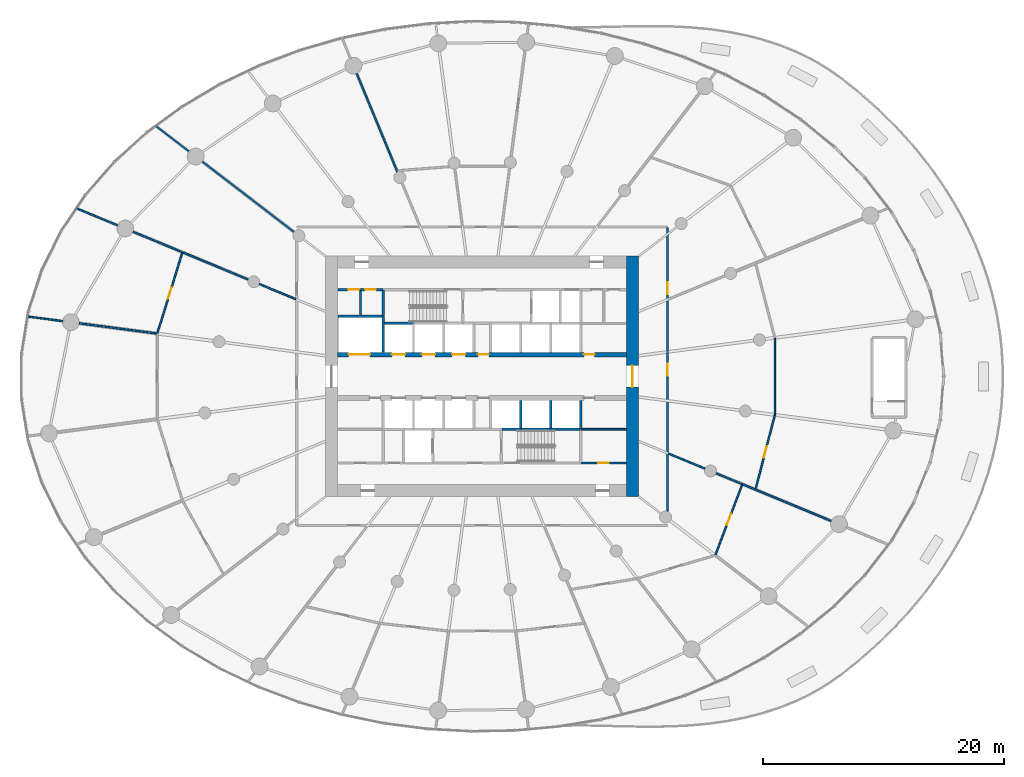
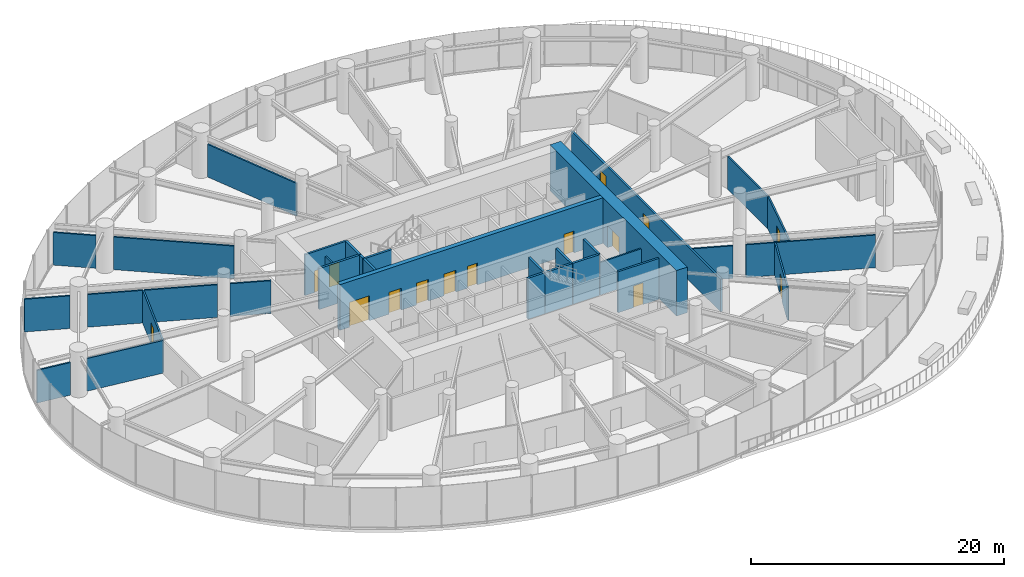
# One storey, part 13 of 21: 34 walls, 15 doors, 15 openings.
"""IFC4 building model written with IfcOpenShell, lengths in metres."""

from ifc_helpers import new_model, si_unit, direction, frame, frame_2d, origin, place, context, subcontext, project, spatial, rectangle, extrude, source, transform, mapped, material, layer, layer_set, type_object, element, fill, save


model = new_model("IFC4")

# Units and contexts
model_context = context("Model", 3, precision=1e-05, world=origin(), true_north=direction((0.0, 1.0)))
body_context = subcontext(model_context, "Body", "Model", "MODEL_VIEW")
ifc_project = project(units=[si_unit("LENGTHUNIT", "METRE"), si_unit("AREAUNIT", "SQUARE_METRE"), si_unit("VOLUMEUNIT", "CUBIC_METRE"), si_unit("PLANEANGLEUNIT", "RADIAN"), si_unit("MASSUNIT", "GRAM", prefix="KILO")], contexts=[model_context])

# Site, building, storey
site_placement = place(None, origin())
site = spatial("IfcSite", under=ifc_project, at=site_placement, CompositionType="ELEMENT")
building_placement = place(site_placement, origin())
building = spatial("IfcBuilding", under=site, at=building_placement, Name="Spindrift Exchange Tower", CompositionType="ELEMENT")
storey_placement = place(building_placement, frame((0.0, 0.0, 18.199951171875)))
storey = spatial("IfcBuildingStorey", under=building, at=storey_placement, Name="L04", CompositionType="ELEMENT", Elevation=18.199951171875)

# Wall, opening, door
ifc_material_1 = material(Name="Concrete 80 MPa", Category="concrete")
ifc_layer_1 = layer(ifc_material_1, 1.0)
ifc_layer_set_1 = layer_set([ifc_layer_1], Name="RC Core Wall 1000 Concrete 80 MPa")
wall_type_1 = type_object("IfcWallType", Name="RC Core Wall 1000 Concrete 80 MPa", PredefinedType="SHEAR", material=ifc_layer_set_1)
wall_1_placement = place(storey_placement, frame((64.5, 38.0, 0.0), z_axis=(0.0, 0.0, 1.0), x_axis=(0.0, 1.0, 0.0)))
wall_1 = element("IfcWall", 1, at=wall_1_placement, inside=storey, type_object=wall_type_1, Name="Core wall E L04", PredefinedType="SHEAR", context=body_context, shape_type="SweptSolid", body=[
    extrude(rectangle(XDim=20.0, YDim=1.0, at=frame_2d((10.0, 0.0))), origin(), (0.0, 0.0, 1.0), 4.400146484375),
])
opening_1_placement = place(wall_1_placement, frame((9.10009765625, 0.0, 0.0)))
opening_1 = element("IfcOpeningElement", 2, at=opening_1_placement, cuts=wall_1, Name="Opening L04-D2", PredefinedType="OPENING", context=body_context, shape_type="SweptSolid", body=[
    extrude(rectangle(XDim=1.800048828125, YDim=2.10009765625, at=frame_2d((0.89990234375, 1.050048828125))), frame((0.0, 0.510009765625, 0.0), z_axis=(0.0, -1.0, 0.0), x_axis=(1.0, 0.0, 0.0)), (0.0, 0.0, 1.0), 1.02001953125),
])
ifc_material_2 = material(Name="Timber-core fire door", Category="wood")
door_type_1 = type_object("IfcDoorType", Name="DR-LOBBY-1800", OperationType="NOTDEFINED", PredefinedType="DOOR", material=ifc_material_2)
shared_shape_1 = source(origin(), body_context, "Body", "SweptSolid", [
    extrude(rectangle(XDim=1.800048828125, YDim=2.10009765625, at=frame_2d((0.89990234375, 1.050048828125))), frame((0.0, 0.02490234375, 0.0), z_axis=(0.0, -1.0, 0.0), x_axis=(1.0, 0.0, 0.0)), (0.0, 0.0, 1.0), 0.050048828125),
])
door_1_placement = place(opening_1_placement, origin())
door_1 = element("IfcDoor", 3, at=door_1_placement, inside=storey, type_object=door_type_1, Name="L04 Lobby door 2", OperationType="SINGLE_SWING_LEFT", OverallHeight=2.10009765625, OverallWidth=1.800048828125, PredefinedType="DOOR", context=body_context, shape_type="MappedRepresentation", body=[
    mapped(shared_shape_1, transform((0.0, 0.0, 0.0), scale=1.0)),
])
fill(opening_1, door_1)

# Wall, openings, doors
ifc_layer_2 = layer(ifc_material_1, 0.39990234375)
ifc_layer_set_2 = layer_set([ifc_layer_2], Name="RC Spine Wall 400 Concrete 80 MPa")
wall_type_2 = type_object("IfcWallType", Name="RC Spine Wall 400 Concrete 80 MPa", PredefinedType="SHEAR", material=ifc_layer_set_2)
wall_2_placement = place(storey_placement, frame((40.0, 49.800048828125, 0.0), z_axis=(0.0, 0.0, 1.0), x_axis=(1.0, 0.0, 0.0)))
wall_2 = element("IfcWall", 4, at=wall_2_placement, inside=storey, type_object=wall_type_2, Name="Core spine wall N L04", PredefinedType="SHEAR", context=body_context, shape_type="SweptSolid", body=[
    extrude(rectangle(XDim=24.0, YDim=0.39990234375, at=frame_2d((12.0, 0.0))), origin(), (0.0, 0.0, 1.0), 4.400146484375),
])
opening_2_placement = place(wall_2_placement, frame((4.5, 0.0, 0.0)))
opening_2 = element("IfcOpeningElement", 5, at=opening_2_placement, cuts=wall_2, Name="Opening L04-D3", PredefinedType="OPENING", context=body_context, shape_type="SweptSolid", body=[
    extrude(rectangle(XDim=1.10009765625, YDim=2.10009765625, at=frame_2d((0.550048828125, 1.050048828125))), frame((0.0, 0.2099609375, 0.0), z_axis=(0.0, -1.0, 0.0), x_axis=(1.0, 0.0, 0.0)), (0.0, 0.0, 1.0), 0.419921875),
])
opening_3_placement = place(wall_2_placement, frame((7.0, 0.0, 0.0)))
opening_3 = element("IfcOpeningElement", 6, at=opening_3_placement, cuts=wall_2, Name="Opening L04-D4", PredefinedType="OPENING", context=body_context, shape_type="SweptSolid", body=[
    extrude(rectangle(XDim=1.10009765625, YDim=2.10009765625, at=frame_2d((0.550048828125, 1.050048828125))), frame((0.0, 0.2099609375, 0.0), z_axis=(0.0, -1.0, 0.0), x_axis=(1.0, 0.0, 0.0)), (0.0, 0.0, 1.0), 0.419921875),
])
opening_4_placement = place(wall_2_placement, frame((9.5, 0.0, 0.0)))
opening_4 = element("IfcOpeningElement", 7, at=opening_4_placement, cuts=wall_2, Name="Opening L04-D5", PredefinedType="OPENING", context=body_context, shape_type="SweptSolid", body=[
    extrude(rectangle(XDim=1.10009765625, YDim=2.10009765625, at=frame_2d((0.550048828125, 1.050048828125))), frame((0.0, 0.2099609375, 0.0), z_axis=(0.0, -1.0, 0.0), x_axis=(1.0, 0.0, 0.0)), (0.0, 0.0, 1.0), 0.419921875),
])
opening_5_placement = place(wall_2_placement, frame((0.89990234375, 0.0, 0.0)))
opening_5 = element("IfcOpeningElement", 8, at=opening_5_placement, cuts=wall_2, Name="Opening L04-D12", PredefinedType="OPENING", context=body_context, shape_type="SweptSolid", body=[
    extrude(rectangle(XDim=1.800048828125, YDim=2.39990234375, at=frame_2d((0.89990234375, 1.199951171875))), frame((0.0, 0.2099609375, 0.0), z_axis=(0.0, -1.0, 0.0), x_axis=(1.0, 0.0, 0.0)), (0.0, 0.0, 1.0), 0.419921875),
])
opening_6_placement = place(wall_2_placement, frame((20.449951171875, 0.0, 0.0)))
opening_6 = element("IfcOpeningElement", 9, at=opening_6_placement, cuts=wall_2, Name="Opening L04-D54", PredefinedType="OPENING", context=body_context, shape_type="SweptSolid", body=[
    extrude(rectangle(XDim=0.89990234375, YDim=2.10009765625, at=frame_2d((0.449951171875, 1.050048828125))), frame((0.0, 0.2099609375, 0.0), z_axis=(0.0, -1.0, 0.0), x_axis=(1.0, 0.0, 0.0)), (0.0, 0.0, 1.0), 0.419921875),
])
opening_7_placement = place(wall_2_placement, frame((11.64990234375, 0.0, 0.0)))
opening_7 = element("IfcOpeningElement", 10, at=opening_7_placement, cuts=wall_2, Name="Opening L04-D59", PredefinedType="OPENING", context=body_context, shape_type="SweptSolid", body=[
    extrude(rectangle(XDim=0.89990234375, YDim=2.10009765625, at=frame_2d((0.449951171875, 1.050048828125))), frame((0.0, 0.2099609375, 0.0), z_axis=(0.0, -1.0, 0.0), x_axis=(1.0, 0.0, 0.0)), (0.0, 0.0, 1.0), 0.419921875),
])
ifc_material_3 = material(Name="Stainless steel landing door", Category="steel")
door_type_2 = type_object("IfcDoorType", Name="DR-LANDING-1100-SL", OperationType="DOUBLE_DOOR_SLIDING", PredefinedType="USERDEFINED", material=ifc_material_3)
shared_shape_2 = source(origin(), body_context, "Body", "SweptSolid", [
    extrude(rectangle(XDim=1.10009765625, YDim=2.10009765625, at=frame_2d((0.550048828125, 1.050048828125))), frame((0.0, 0.02490234375, 0.0), z_axis=(0.0, -1.0, 0.0), x_axis=(1.0, 0.0, 0.0)), (0.0, 0.0, 1.0), 0.050048828125),
])
door_2_placement = place(opening_2_placement, origin())
door_2 = element("IfcDoor", 11, at=door_2_placement, inside=storey, type_object=door_type_2, Name="L04 Lift landing door 3", ObjectType="LANDING DOOR", OperationType="DOUBLE_DOOR_SLIDING", OverallHeight=2.10009765625, OverallWidth=1.10009765625, PredefinedType="USERDEFINED", context=body_context, shape_type="MappedRepresentation", body=[
    mapped(shared_shape_2, transform((0.0, 0.0, 0.0), scale=1.0)),
])
fill(opening_2, door_2)
door_3_placement = place(opening_3_placement, origin())
door_3 = element("IfcDoor", 12, at=door_3_placement, inside=storey, type_object=door_type_2, Name="L04 Lift landing door 4", ObjectType="LANDING DOOR", OperationType="DOUBLE_DOOR_SLIDING", OverallHeight=2.10009765625, OverallWidth=1.10009765625, PredefinedType="USERDEFINED", context=body_context, shape_type="MappedRepresentation", body=[
    mapped(shared_shape_2, transform((0.0, 0.0, 0.0), scale=1.0)),
])
fill(opening_3, door_3)
door_4_placement = place(opening_4_placement, origin())
door_4 = element("IfcDoor", 13, at=door_4_placement, inside=storey, type_object=door_type_2, Name="L04 Lift landing door 5", ObjectType="LANDING DOOR", OperationType="DOUBLE_DOOR_SLIDING", OverallHeight=2.10009765625, OverallWidth=1.10009765625, PredefinedType="USERDEFINED", context=body_context, shape_type="MappedRepresentation", body=[
    mapped(shared_shape_2, transform((0.0, 0.0, 0.0), scale=1.0)),
])
fill(opening_4, door_4)
door_type_3 = type_object("IfcDoorType", Name="DR-LANDING-1800-SL", OperationType="DOUBLE_DOOR_SLIDING", PredefinedType="USERDEFINED", material=ifc_material_3)
shared_shape_3 = source(origin(), body_context, "Body", "SweptSolid", [
    extrude(rectangle(XDim=1.800048828125, YDim=2.39990234375, at=frame_2d((0.89990234375, 1.199951171875))), frame((0.0, 0.02490234375, 0.0), z_axis=(0.0, -1.0, 0.0), x_axis=(1.0, 0.0, 0.0)), (0.0, 0.0, 1.0), 0.050048828125),
])
door_5_placement = place(opening_5_placement, origin())
door_5 = element("IfcDoor", 14, at=door_5_placement, inside=storey, type_object=door_type_3, Name="L04 Lift landing door 12", ObjectType="LANDING DOOR", OperationType="DOUBLE_DOOR_SLIDING", OverallHeight=2.39990234375, OverallWidth=1.800048828125, PredefinedType="USERDEFINED", context=body_context, shape_type="MappedRepresentation", body=[
    mapped(shared_shape_3, transform((0.0, 0.0, 0.0), scale=1.0)),
])
fill(opening_5, door_5)
ifc_material_4 = material(Name="Steel access door", Category="steel")
door_type_4 = type_object("IfcDoorType", Name="DR-RISER-900", OperationType="NOTDEFINED", PredefinedType="DOOR", material=ifc_material_4)
shared_shape_4 = source(origin(), body_context, "Body", "SweptSolid", [
    extrude(rectangle(XDim=0.89990234375, YDim=2.10009765625, at=frame_2d((0.449951171875, 1.050048828125))), frame((0.0, 0.02490234375, 0.0), z_axis=(0.0, -1.0, 0.0), x_axis=(1.0, 0.0, 0.0)), (0.0, 0.0, 1.0), 0.050048828125),
])
door_6_placement = place(opening_6_placement, origin())
door_6 = element("IfcDoor", 15, at=door_6_placement, inside=storey, type_object=door_type_4, Name="L04 Riser door 54", OperationType="SINGLE_SWING_LEFT", OverallHeight=2.10009765625, OverallWidth=0.89990234375, PredefinedType="DOOR", context=body_context, shape_type="MappedRepresentation", body=[
    mapped(shared_shape_4, transform((0.0, 0.0, 0.0), scale=1.0)),
])
fill(opening_6, door_6)
door_7_placement = place(opening_7_placement, origin())
door_7 = element("IfcDoor", 16, at=door_7_placement, inside=storey, type_object=door_type_4, Name="L04 Riser door 59", OperationType="SINGLE_SWING_RIGHT", OverallHeight=2.10009765625, OverallWidth=0.89990234375, PredefinedType="DOOR", context=body_context, shape_type="MappedRepresentation", body=[
    mapped(shared_shape_4, transform((0.0, 0.0, 0.0), scale=1.0)),
])
fill(opening_7, door_7)

ifc_material_5 = material(Name="Fire-rated plasterboard partition", Category="gypsum")
ifc_layer_3 = layer(ifc_material_5, 0.179931640625)
ifc_layer_set_3 = layer_set([ifc_layer_3], Name="W-CORR-180")
wall_type_3 = type_object("IfcWallType", Name="W-CORR-180", PredefinedType="PARTITIONING", material=ifc_layer_set_3)
wall_3_placement = place(storey_placement, frame((67.39990234375, 60.3701171875, 0.0), z_axis=(0.0, 0.0, 1.0), x_axis=(0.0, -1.0, 0.0)))
wall_3 = element("IfcWall", 17, at=wall_3_placement, inside=storey, type_object=wall_type_3, Name="L04 Partition wall 63", PredefinedType="PARTITIONING", context=body_context, shape_type="SweptSolid", body=[
    extrude(rectangle(XDim=23.58251953125, YDim=0.179931640625, at=frame_2d((11.791259765625, 0.0))), origin(), (0.0, 0.0, 1.0), 3.150146484375),
])
opening_8_placement = place(wall_3_placement, frame((11.33251953125, 0.0, 0.0)))
opening_8 = element("IfcOpeningElement", 18, at=opening_8_placement, cuts=wall_3, Name="Opening L04-D24", PredefinedType="OPENING", context=body_context, shape_type="SweptSolid", body=[
    extrude(rectangle(XDim=1.0, YDim=2.10009765625, at=frame_2d((0.5, 1.050048828125))), frame((0.0, 0.099853515625, 0.0), z_axis=(0.0, -1.0, 0.0), x_axis=(1.0, 0.0, 0.0)), (0.0, 0.0, 1.0), 0.199951171875),
])
opening_9_placement = place(wall_3_placement, frame((4.532470703125, 0.0, 0.0)))
opening_9 = element("IfcOpeningElement", 19, at=opening_9_placement, cuts=wall_3, Name="Opening L04-D26", PredefinedType="OPENING", context=body_context, shape_type="SweptSolid", body=[
    extrude(rectangle(XDim=1.0, YDim=2.10009765625, at=frame_2d((0.5, 1.050048828125))), frame((0.0, 0.099853515625, 0.0), z_axis=(0.0, -1.0, 0.0), x_axis=(1.0, 0.0, 0.0)), (0.0, 0.0, 1.0), 0.199951171875),
])
door_type_5 = type_object("IfcDoorType", Name="DR-ROOM-1000", OperationType="NOTDEFINED", PredefinedType="DOOR", material=ifc_material_2)
shared_shape_5 = source(origin(), body_context, "Body", "SweptSolid", [
    extrude(rectangle(XDim=1.0, YDim=2.10009765625, at=frame_2d((0.5, 1.050048828125))), frame((0.0, 0.02490234375, 0.0), z_axis=(0.0, -1.0, 0.0), x_axis=(1.0, 0.0, 0.0)), (0.0, 0.0, 1.0), 0.050048828125),
])
door_8_placement = place(opening_8_placement, origin())
door_8 = element("IfcDoor", 20, at=door_8_placement, inside=storey, type_object=door_type_5, Name="L04 Door 24", OperationType="SINGLE_SWING_LEFT", OverallHeight=2.10009765625, OverallWidth=1.0, PredefinedType="DOOR", context=body_context, shape_type="MappedRepresentation", body=[
    mapped(shared_shape_5, transform((0.0, 0.0, 0.0), scale=1.0)),
])
fill(opening_8, door_8)
door_9_placement = place(opening_9_placement, origin())
door_9 = element("IfcDoor", 21, at=door_9_placement, inside=storey, type_object=door_type_5, Name="L04 Door 26", OperationType="SINGLE_SWING_LEFT", OverallHeight=2.10009765625, OverallWidth=1.0, PredefinedType="DOOR", context=body_context, shape_type="MappedRepresentation", body=[
    mapped(shared_shape_5, transform((0.0, 0.0, 0.0), scale=1.0)),
])
fill(opening_9, door_9)

wall_4_placement = place(storey_placement, frame((43.77001953125, 55.199951171875, 0.0), z_axis=(0.0, 0.0, 1.0), x_axis=(-1.0, 0.0, 0.0)))
wall_4 = element("IfcWall", 22, at=wall_4_placement, inside=storey, type_object=wall_type_3, Name="L04 Partition wall 66", PredefinedType="PARTITIONING", context=body_context, shape_type="SweptSolid", body=[
    extrude(rectangle(XDim=3.75, YDim=0.179931640625, at=frame_2d((1.875, 0.0))), origin(), (0.0, 0.0, 1.0), 3.949951171875),
])
opening_10_placement = place(wall_4_placement, frame((2.0, 0.0, 0.0)))
opening_10 = element("IfcOpeningElement", 23, at=opening_10_placement, cuts=wall_4, Name="Opening L04-D50", PredefinedType="OPENING", context=body_context, shape_type="SweptSolid", body=[
    extrude(rectangle(XDim=0.89990234375, YDim=2.10009765625, at=frame_2d((0.449951171875, 1.050048828125))), frame((0.0, 0.099853515625, 0.0), z_axis=(0.0, -1.0, 0.0), x_axis=(1.0, 0.0, 0.0)), (0.0, 0.0, 1.0), 0.199951171875),
])
opening_11_placement = place(wall_4_placement, frame((0.60009765625, 0.0, 0.0)))
opening_11 = element("IfcOpeningElement", 24, at=opening_11_placement, cuts=wall_4, Name="Opening L04-D51", PredefinedType="OPENING", context=body_context, shape_type="SweptSolid", body=[
    extrude(rectangle(XDim=0.89990234375, YDim=2.10009765625, at=frame_2d((0.449951171875, 1.050048828125))), frame((0.0, 0.099853515625, 0.0), z_axis=(0.0, -1.0, 0.0), x_axis=(1.0, 0.0, 0.0)), (0.0, 0.0, 1.0), 0.199951171875),
])
door_10_placement = place(opening_10_placement, origin())
door_10 = element("IfcDoor", 25, at=door_10_placement, inside=storey, type_object=door_type_4, Name="L04 Riser door 50", OperationType="SINGLE_SWING_LEFT", OverallHeight=2.10009765625, OverallWidth=0.89990234375, PredefinedType="DOOR", context=body_context, shape_type="MappedRepresentation", body=[
    mapped(shared_shape_4, transform((0.0, 0.0, 0.0), scale=1.0)),
])
fill(opening_10, door_10)
door_11_placement = place(opening_11_placement, origin())
door_11 = element("IfcDoor", 26, at=door_11_placement, inside=storey, type_object=door_type_4, Name="L04 Riser door 51", OperationType="SINGLE_SWING_RIGHT", OverallHeight=2.10009765625, OverallWidth=0.89990234375, PredefinedType="DOOR", context=body_context, shape_type="MappedRepresentation", body=[
    mapped(shared_shape_4, transform((0.0, 0.0, 0.0), scale=1.0)),
])
fill(opening_11, door_11)

# Wall, opening, door
wall_5_placement = place(storey_placement, frame((60.22998046875, 40.800048828125, 0.0), z_axis=(0.0, 0.0, 1.0), x_axis=(1.0, 0.0, 0.0)))
wall_5 = element("IfcWall", 27, at=wall_5_placement, inside=storey, type_object=wall_type_3, Name="L04 Partition wall 67", PredefinedType="PARTITIONING", context=body_context, shape_type="SweptSolid", body=[
    extrude(rectangle(XDim=3.75, YDim=0.179931640625, at=frame_2d((1.875, 0.0))), origin(), (0.0, 0.0, 1.0), 3.949951171875),
])
opening_12_placement = place(wall_5_placement, frame((1.39990234375, 0.0, 0.0)))
opening_12 = element("IfcOpeningElement", 28, at=opening_12_placement, cuts=wall_5, Name="Opening L04-D57", PredefinedType="OPENING", context=body_context, shape_type="SweptSolid", body=[
    extrude(rectangle(XDim=0.89990234375, YDim=2.10009765625, at=frame_2d((0.449951171875, 1.050048828125))), frame((0.0, 0.099853515625, 0.0), z_axis=(0.0, -1.0, 0.0), x_axis=(1.0, 0.0, 0.0)), (0.0, 0.0, 1.0), 0.199951171875),
])
door_12_placement = place(opening_12_placement, origin())
door_12 = element("IfcDoor", 29, at=door_12_placement, inside=storey, type_object=door_type_4, Name="L04 Riser door 57", OperationType="SINGLE_SWING_RIGHT", OverallHeight=2.10009765625, OverallWidth=0.89990234375, PredefinedType="DOOR", context=body_context, shape_type="MappedRepresentation", body=[
    mapped(shared_shape_4, transform((0.0, 0.0, 0.0), scale=1.0)),
])
fill(opening_12, door_12)

# Wall
ifc_layer_4 = layer(ifc_material_5, 0.139892578125)
ifc_layer_set_4 = layer_set([ifc_layer_4], Name="W-PART-140")
wall_type_4 = type_object("IfcWallType", Name="W-PART-140", PredefinedType="PARTITIONING", material=ifc_layer_set_4)
wall_6_placement = place(storey_placement, frame((24.97998046875, 51.557373046875, 0.0), z_axis=(0.0, 0.0, 1.0), x_axis=(-0.9914463656, 0.130514765976, 0.0)))
element("IfcWall", 30, at=wall_6_placement, inside=storey, type_object=wall_type_4, Name="L04 Partition wall 86", PredefinedType="PARTITIONING", context=body_context, shape_type="SweptSolid", body=[
    extrude(rectangle(XDim=6.49853515625, YDim=0.139892578125, at=frame_2d((3.249267578125, 0.0))), origin(), (0.0, 0.0, 1.0), 3.150146484375),
])

# Wall, opening, door
wall_7_placement = place(storey_placement, frame((76.315673828125, 44.798828125, 0.0), z_axis=(0.0, 0.0, 1.0), x_axis=(-0.251407268144, -0.967881390215, 0.0)))
wall_7 = element("IfcWall", 31, at=wall_7_placement, inside=storey, type_object=wall_type_4, Name="L04 Partition wall 88", PredefinedType="PARTITIONING", context=body_context, shape_type="SweptSolid", body=[
    extrude(rectangle(XDim=6.33837890625, YDim=0.139892578125, at=frame_2d((3.169189453125, 0.0))), origin(), (0.0, 0.0, 1.0), 3.150146484375),
])
opening_13_placement = place(wall_7_placement, frame((2.6884765625, 0.0, 0.0)))
opening_13 = element("IfcOpeningElement", 32, at=opening_13_placement, cuts=wall_7, Name="Opening L04-D25", PredefinedType="OPENING", context=body_context, shape_type="SweptSolid", body=[
    extrude(rectangle(XDim=1.0, YDim=2.10009765625, at=frame_2d((0.5, 1.050048828125))), frame((0.0, 0.079833984375, 0.0), z_axis=(0.0, -1.0, 0.0), x_axis=(1.0, 0.0, 0.0)), (0.0, 0.0, 1.0), 0.159912109375),
])
door_13_placement = place(opening_13_placement, origin())
door_13 = element("IfcDoor", 33, at=door_13_placement, inside=storey, type_object=door_type_5, Name="L04 Door 25", OperationType="SINGLE_SWING_RIGHT", OverallHeight=2.10009765625, OverallWidth=1.0, PredefinedType="DOOR", context=body_context, shape_type="MappedRepresentation", body=[
    mapped(shared_shape_5, transform((0.0, 0.0, 0.0), scale=1.0)),
])
fill(opening_13, door_13)

# Walls
wall_8_placement = place(storey_placement, frame((76.315673828125, 44.828857421875, 0.0), z_axis=(0.0, 0.0, 1.0), x_axis=(0.0, 1.0, 0.0)))
element("IfcWall", 34, at=wall_8_placement, inside=storey, type_object=wall_type_4, Name="L04 Partition wall 89", PredefinedType="PARTITIONING", context=body_context, shape_type="SweptSolid", body=[
    extrude(rectangle(XDim=6.34228515625, YDim=0.139892578125, at=frame_2d((3.171142578125, 0.0))), origin(), (0.0, 0.0, 1.0), 3.150146484375),
])
wall_9_placement = place(storey_placement, frame((60.22998046875, 43.60009765625, 0.0), z_axis=(0.0, 0.0, 1.0), x_axis=(1.0, 0.0, 0.0)))
element("IfcWall", 35, at=wall_9_placement, inside=storey, type_object=wall_type_4, Name="L04 Partition wall 112", PredefinedType="PARTITIONING", context=body_context, shape_type="SweptSolid", body=[
    extrude(rectangle(XDim=3.75, YDim=0.139892578125, at=frame_2d((1.875, 0.0))), origin(), (0.0, 0.0, 1.0), 3.150146484375),
])
wall_10_placement = place(storey_placement, frame((71.439208984375, 39.947998046875, 0.0), z_axis=(0.0, 0.0, 1.0), x_axis=(0.923861804277, -0.382726229306, 0.0)))
element("IfcWall", 36, at=wall_10_placement, inside=storey, type_object=wall_type_4, Name="L04 Partition wall 115", PredefinedType="PARTITIONING", context=body_context, shape_type="SweptSolid", body=[
    extrude(rectangle(XDim=2.322509765625, YDim=0.139892578125, at=frame_2d((1.1611328125, 0.0))), origin(), (0.0, 0.0, 1.0), 3.150146484375),
])
wall_11_placement = place(storey_placement, frame((67.489990234375, 41.583740234375, 0.0), z_axis=(0.0, 0.0, 1.0), x_axis=(0.923911109142, -0.382607190737, 0.0)))
element("IfcWall", 37, at=wall_11_placement, inside=storey, type_object=wall_type_4, Name="L04 Partition wall 119", PredefinedType="PARTITIONING", context=body_context, shape_type="SweptSolid", body=[
    extrude(rectangle(XDim=3.264404296875, YDim=0.139892578125, at=frame_2d((1.63232421875, 0.0))), origin(), (0.0, 0.0, 1.0), 3.150146484375),
])
wall_12_placement = place(storey_placement, frame((17.140625, 52.58935546875, 0.0), z_axis=(0.0, 0.0, 1.0), x_axis=(-0.991443227873, 0.130538599287, 0.0)))
element("IfcWall", 38, at=wall_12_placement, inside=storey, type_object=wall_type_4, Name="L04 Partition wall 122", PredefinedType="PARTITIONING", context=body_context, shape_type="SweptSolid", body=[
    extrude(rectangle(XDim=2.85400390625, YDim=0.139892578125, at=frame_2d((1.427001953125, 0.0))), origin(), (0.0, 0.0, 1.0), 3.150146484375),
])
wall_13_placement = place(storey_placement, frame((41.89990234375, 53.10009765625, 0.0), z_axis=(0.0, 0.0, 1.0), x_axis=(0.0, 1.0, 0.0)))
element("IfcWall", 39, at=wall_13_placement, inside=storey, type_object=wall_type_4, Name="L04 Partition wall 127", PredefinedType="PARTITIONING", context=body_context, shape_type="SweptSolid", body=[
    extrude(rectangle(XDim=2.010009765625, YDim=0.139892578125, at=frame_2d((1.0048828125, 0.0))), origin(), (0.0, 0.0, 1.0), 3.150146484375),
])
ifc_layer_5 = layer(ifc_material_5, 0.139892578125)
ifc_layer_set_5 = layer_set([ifc_layer_5], Name="W-PLANT-140")
wall_type_5 = type_object("IfcWallType", Name="W-PLANT-140", PredefinedType="PARTITIONING", material=ifc_layer_set_5)
wall_14_placement = place(storey_placement, frame((36.367431640625, 59.995361328125, 0.0), z_axis=(0.0, 0.0, 1.0), x_axis=(-0.793366218398, 0.608744645566, 0.0)))
element("IfcWall", 40, at=wall_14_placement, inside=storey, type_object=wall_type_5, Name="L04 Partition wall 72", PredefinedType="PARTITIONING", context=body_context, shape_type="SweptSolid", body=[
    extrude(rectangle(XDim=9.59130859375, YDim=0.139892578125, at=frame_2d((4.795654296875, 0.0))), origin(), (0.0, 0.0, 1.0), 3.150146484375),
])
wall_15_placement = place(storey_placement, frame((41.57958984375, 73.1572265625, 0.0), z_axis=(0.0, 0.0, 1.0), x_axis=(0.382692208588, -0.923875897232, 0.0)))
element("IfcWall", 41, at=wall_15_placement, inside=storey, type_object=wall_type_5, Name="L04 Partition wall 74", PredefinedType="PARTITIONING", context=body_context, shape_type="SweptSolid", body=[
    extrude(rectangle(XDim=8.846435546875, YDim=0.139892578125, at=frame_2d((4.42333984375, 0.0))), origin(), (0.0, 0.0, 1.0), 3.150146484375),
])
wall_16_placement = place(storey_placement, frame((73.612548828125, 39.0478515625, 0.0), z_axis=(0.0, 0.0, 1.0), x_axis=(0.923869702123, -0.382707164159, 0.0)))
element("IfcWall", 42, at=wall_16_placement, inside=storey, type_object=wall_type_5, Name="L04 Partition wall 76", PredefinedType="PARTITIONING", context=body_context, shape_type="SweptSolid", body=[
    extrude(rectangle(XDim=7.98876953125, YDim=0.139892578125, at=frame_2d((3.994384765625, 0.0))), origin(), (0.0, 0.0, 1.0), 3.150146484375),
])

# Wall, opening, door
wall_17_placement = place(storey_placement, frame((25.0185546875, 51.58203125, 0.0), z_axis=(0.0, 0.0, 1.0), x_axis=(0.296052616662, 0.955171632832, 0.0)))
wall_17 = element("IfcWall", 43, at=wall_17_placement, inside=storey, type_object=wall_type_5, Name="L04 Partition wall 80", PredefinedType="PARTITIONING", context=body_context, shape_type="SweptSolid", body=[
    extrude(rectangle(XDim=7.0458984375, YDim=0.139892578125, at=frame_2d((3.52294921875, 0.0))), origin(), (0.0, 0.0, 1.0), 3.150146484375),
])
opening_14_placement = place(wall_17_placement, frame((2.995849609375, 0.0, 0.0)))
opening_14 = element("IfcOpeningElement", 44, at=opening_14_placement, cuts=wall_17, Name="Opening L04-D35", PredefinedType="OPENING", context=body_context, shape_type="SweptSolid", body=[
    extrude(rectangle(XDim=1.0, YDim=2.10009765625, at=frame_2d((0.5, 1.050048828125))), frame((0.0, 0.079833984375, 0.0), z_axis=(0.0, -1.0, 0.0), x_axis=(1.0, 0.0, 0.0)), (0.0, 0.0, 1.0), 0.159912109375),
])
door_14_placement = place(opening_14_placement, origin())
door_14 = element("IfcDoor", 45, at=door_14_placement, inside=storey, type_object=door_type_5, Name="L04 Door 35", OperationType="SINGLE_SWING_RIGHT", OverallHeight=2.10009765625, OverallWidth=1.0, PredefinedType="DOOR", context=body_context, shape_type="MappedRepresentation", body=[
    mapped(shared_shape_5, transform((0.0, 0.0, 0.0), scale=1.0)),
])
fill(opening_14, door_14)

wall_18_placement = place(storey_placement, frame((73.587646484375, 38.982421875, 0.0), z_axis=(0.0, 0.0, 1.0), x_axis=(-0.355244508987, -0.934773415772, 0.0)))
wall_18 = element("IfcWall", 46, at=wall_18_placement, inside=storey, type_object=wall_type_5, Name="L04 Partition wall 91", PredefinedType="PARTITIONING", context=body_context, shape_type="SweptSolid", body=[
    extrude(rectangle(XDim=6.220947265625, YDim=0.139892578125, at=frame_2d((3.1103515625, 0.0))), origin(), (0.0, 0.0, 1.0), 3.150146484375),
])
opening_15_placement = place(wall_18_placement, frame((2.57080078125, 0.0, 0.0)))
opening_15 = element("IfcOpeningElement", 47, at=opening_15_placement, cuts=wall_18, Name="Opening L04-D48", PredefinedType="OPENING", context=body_context, shape_type="SweptSolid", body=[
    extrude(rectangle(XDim=1.0, YDim=2.10009765625, at=frame_2d((0.5, 1.050048828125))), frame((0.0, 0.079833984375, 0.0), z_axis=(0.0, -1.0, 0.0), x_axis=(1.0, 0.0, 0.0)), (0.0, 0.0, 1.0), 0.159912109375),
])
door_15_placement = place(opening_15_placement, origin())
door_15 = element("IfcDoor", 48, at=door_15_placement, inside=storey, type_object=door_type_5, Name="L04 Door 48", OperationType="SINGLE_SWING_LEFT", OverallHeight=2.10009765625, OverallWidth=1.0, PredefinedType="DOOR", context=body_context, shape_type="MappedRepresentation", body=[
    mapped(shared_shape_5, transform((0.0, 0.0, 0.0), scale=1.0)),
])
fill(opening_15, door_15)

# Walls
wall_19_placement = place(storey_placement, frame((32.560791015625, 56.052001953125, 0.0), z_axis=(0.0, 0.0, 1.0), x_axis=(-0.923886814097, 0.382665852588, 0.0)))
element("IfcWall", 49, at=wall_19_placement, inside=storey, type_object=wall_type_5, Name="L04 Partition wall 93", PredefinedType="PARTITIONING", context=body_context, shape_type="SweptSolid", body=[
    extrude(rectangle(XDim=5.835693359375, YDim=0.139892578125, at=frame_2d((2.91796875, 0.0))), origin(), (0.0, 0.0, 1.0), 3.150146484375),
])
wall_20_placement = place(storey_placement, frame((27.07666015625, 58.323486328125, 0.0), z_axis=(0.0, 0.0, 1.0), x_axis=(-0.923858763081, 0.382733570356, 0.0)))
element("IfcWall", 50, at=wall_20_placement, inside=storey, type_object=wall_type_5, Name="L04 Partition wall 105", PredefinedType="PARTITIONING", context=body_context, shape_type="SweptSolid", body=[
    extrude(rectangle(XDim=4.4052734375, YDim=0.139892578125, at=frame_2d((2.20263671875, 0.0))), origin(), (0.0, 0.0, 1.0), 3.150146484375),
])
wall_21_placement = place(storey_placement, frame((21.7041015625, 60.549072265625, 0.0), z_axis=(0.0, 0.0, 1.0), x_axis=(-0.923882033439, 0.382677394537, 0.0)))
element("IfcWall", 51, at=wall_21_placement, inside=storey, type_object=wall_type_5, Name="L04 Partition wall 114", PredefinedType="PARTITIONING", context=body_context, shape_type="SweptSolid", body=[
    extrude(rectangle(XDim=3.642333984375, YDim=0.139892578125, at=frame_2d((1.8212890625, 0.0))), origin(), (0.0, 0.0, 1.0), 3.150146484375),
])
wall_22_placement = place(storey_placement, frame((27.640625, 66.69140625, 0.0), z_axis=(0.0, 0.0, 1.0), x_axis=(-0.793324630829, 0.608798842082, 0.0)))
element("IfcWall", 52, at=wall_22_placement, inside=storey, type_object=wall_type_5, Name="L04 Partition wall 116", PredefinedType="PARTITIONING", context=body_context, shape_type="SweptSolid", body=[
    extrude(rectangle(XDim=3.404296875, YDim=0.139892578125, at=frame_2d((1.7021484375, 0.0))), origin(), (0.0, 0.0, 1.0), 3.150146484375),
])
wall_23_placement = place(storey_placement, frame((36.510009765625, 54.416259765625, 0.0), z_axis=(0.0, 0.0, 1.0), x_axis=(-0.923911109142, 0.382607190737, 0.0)))
element("IfcWall", 53, at=wall_23_placement, inside=storey, type_object=wall_type_5, Name="L04 Partition wall 118", PredefinedType="PARTITIONING", context=body_context, shape_type="SweptSolid", body=[
    extrude(rectangle(XDim=3.264404296875, YDim=0.139892578125, at=frame_2d((1.63232421875, 0.0))), origin(), (0.0, 0.0, 1.0), 3.150146484375),
])
ifc_material_6 = material(Name="Concrete 40 MPa", Category="concrete")
ifc_layer_6 = layer(ifc_material_6, 0.199951171875)
ifc_layer_set_6 = layer_set([ifc_layer_6], Name="W-SHAFT-200-LB")
wall_type_6 = type_object("IfcWallType", Name="W-SHAFT-200-LB", PredefinedType="SOLIDWALL", material=ifc_layer_set_6)
wall_24_placement = place(storey_placement, frame((43.800048828125, 53.0, 0.0), z_axis=(0.0, 0.0, 1.0), x_axis=(-1.0, 0.0, 0.0)))
element("IfcWall", 54, at=wall_24_placement, inside=storey, type_object=wall_type_6, Name="L04 Shaft wall 7", PredefinedType="SOLIDWALL", context=body_context, shape_type="SweptSolid", body=[
    extrude(rectangle(XDim=3.780029296875, YDim=0.199951171875, at=frame_2d((1.89013671875, 0.0))), origin(), (0.0, 0.0, 1.0), 3.949951171875),
])
for number, where, z_axis, x_axis, name in (
    (55, (46.300048828125, 52.39990234375, 0.0), (0.0, 0.0, 1.0), (-1.0, 0.0, 0.0), "L04 Shaft wall 19"),
    (56, (55.199951171875, 43.60009765625, 0.0), (0.0, 0.0, 1.0), (1.0, 0.0, 0.0), "L04 Shaft wall 23"),
):
    element("IfcWall", number, at=place(storey_placement, frame(where, z_axis=z_axis, x_axis=x_axis)), inside=storey, type_object=wall_type_6, Name=name, PredefinedType="SOLIDWALL", context=body_context, shape_type="SweptSolid", body=[
        extrude(rectangle(XDim=2.5, YDim=0.199951171875, at=frame_2d((1.25, 0.0))), origin(), (0.0, 0.0, 1.0), 3.949951171875),
    ])
wall_25_placement = place(storey_placement, frame((57.72998046875, 43.60009765625, 0.0), z_axis=(0.0, 0.0, 1.0), x_axis=(1.0, 0.0, 0.0)))
element("IfcWall", 57, at=wall_25_placement, inside=storey, type_object=wall_type_6, Name="L04 Shaft wall 24", PredefinedType="SOLIDWALL", context=body_context, shape_type="SweptSolid", body=[
    extrude(rectangle(XDim=2.43994140625, YDim=0.199951171875, at=frame_2d((1.219970703125, 0.0))), origin(), (0.0, 0.0, 1.0), 3.949951171875),
])
for number, where, z_axis, x_axis, name in (
    (58, (43.800048828125, 52.3701171875, 0.0), (0.0, 0.0, 1.0), (0.0, -1.0, 0.0), "L04 Shaft wall 28"),
    (59, (55.199951171875, 43.6298828125, 0.0), (0.0, 0.0, 1.0), (0.0, 1.0, 0.0), "L04 Shaft wall 37"),
    (60, (57.699951171875, 43.6298828125, 0.0), (0.0, 0.0, 1.0), (0.0, 1.0, 0.0), "L04 Shaft wall 39"),
    (61, (60.199951171875, 43.6298828125, 0.0), (0.0, 0.0, 1.0), (0.0, 1.0, 0.0), "L04 Shaft wall 41"),
):
    element("IfcWall", number, at=place(storey_placement, frame(where, z_axis=z_axis, x_axis=x_axis)), inside=storey, type_object=wall_type_6, Name=name, PredefinedType="SOLIDWALL", context=body_context, shape_type="SweptSolid", body=[
        extrude(rectangle(XDim=2.360107421875, YDim=0.199951171875, at=frame_2d((1.18017578125, 0.0))), origin(), (0.0, 0.0, 1.0), 3.949951171875),
    ])
wall_26_placement = place(storey_placement, frame((43.800048828125, 55.169921875, 0.0), z_axis=(0.0, 0.0, 1.0), x_axis=(0.0, -1.0, 0.0)))
element("IfcWall", 62, at=wall_26_placement, inside=storey, type_object=wall_type_6, Name="L04 Shaft wall 43", PredefinedType="SOLIDWALL", context=body_context, shape_type="SweptSolid", body=[
    extrude(rectangle(XDim=2.139892578125, YDim=0.199951171875, at=frame_2d((1.06982421875, 0.0))), origin(), (0.0, 0.0, 1.0), 3.949951171875),
])
wall_27_placement = place(storey_placement, frame((53.6298828125, 43.60009765625, 0.0), z_axis=(0.0, 0.0, 1.0), x_axis=(1.0, 0.0, 0.0)))
element("IfcWall", 63, at=wall_27_placement, inside=storey, type_object=wall_type_6, Name="L04 Shaft wall 50", PredefinedType="SOLIDWALL", context=body_context, shape_type="SweptSolid", body=[
    extrude(rectangle(XDim=1.5400390625, YDim=0.199951171875, at=frame_2d((0.77001953125, 0.0))), origin(), (0.0, 0.0, 1.0), 3.949951171875),
])
wall_28_placement = place(storey_placement, frame((43.800048828125, 52.429931640625, 0.0), z_axis=(0.0, 0.0, 1.0), x_axis=(0.0, 1.0, 0.0)))
element("IfcWall", 64, at=wall_28_placement, inside=storey, type_object=wall_type_6, Name="L04 Shaft wall 60", PredefinedType="SOLIDWALL", context=body_context, shape_type="SweptSolid", body=[
    extrude(rectangle(XDim=0.5400390625, YDim=0.199951171875, at=frame_2d((0.27001953125, 0.0))), origin(), (0.0, 0.0, 1.0), 3.949951171875),
])

save(model, "model.ifc")
